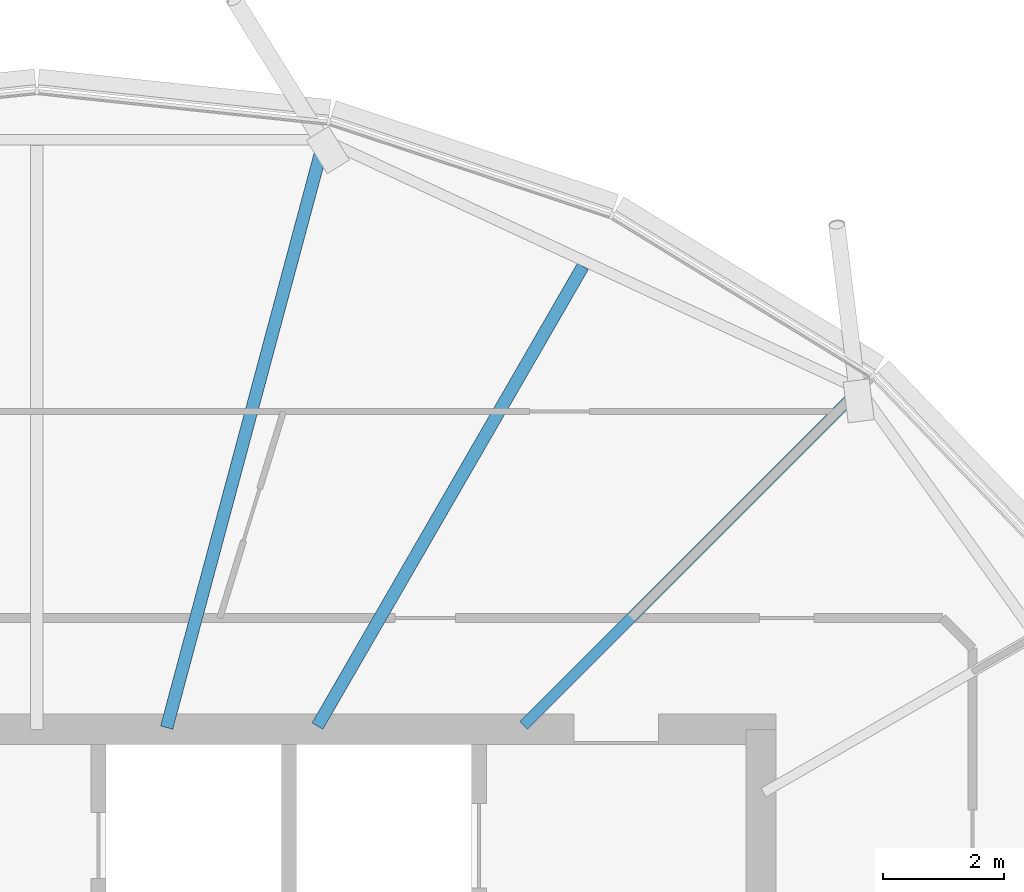
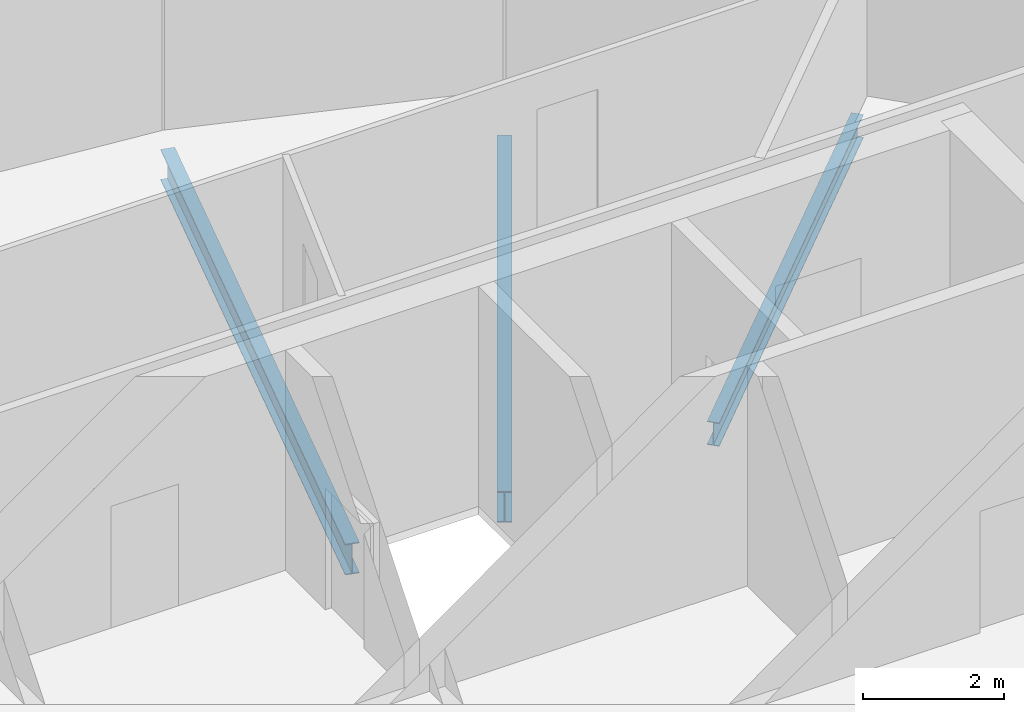
# One storey, part 6 of 35: 3 beams.
"""IFC4 building model written with IfcOpenShell, lengths in metres."""

from ifc_helpers import new_model, si_unit, direction, frame, origin, origin_2d, place, context, subcontext, project, spatial, i_section, extrude, material, material_profile, profile_set, type_object, element, save


model = new_model("IFC4")

# Units and contexts
model_context = context("Model", 3, precision=1e-05, world=origin(), true_north=direction((0.0, 1.0)))
body_context = subcontext(model_context, "Body", "Model", "MODEL_VIEW")
ifc_project = project(units=[si_unit("LENGTHUNIT", "METRE"), si_unit("AREAUNIT", "SQUARE_METRE"), si_unit("VOLUMEUNIT", "CUBIC_METRE"), si_unit("PLANEANGLEUNIT", "RADIAN"), si_unit("MASSUNIT", "GRAM", prefix="KILO")], contexts=[model_context])

# Site, building, storey
site_placement = place(None, origin())
site = spatial("IfcSite", under=ifc_project, at=site_placement, CompositionType="ELEMENT")
building_placement = place(site_placement, origin())
building = spatial("IfcBuilding", under=site, at=building_placement, Name="Rimbun Link Towers", CompositionType="ELEMENT")
storey_placement = place(building_placement, frame((0.0, 0.0, 229.5)))
storey = spatial("IfcBuildingStorey", under=building, at=storey_placement, Name="L56", CompositionType="ELEMENT", Elevation=229.5)

# Beams
ifc_material_1 = material(Name="Steel S355J2", Category="steel")
ifc_material_profile_1 = material_profile(ifc_material_1, i_section(OverallWidth=0.177978515625, OverallDepth=0.406494140625, WebThickness=0.0078125, FlangeThickness=0.0126953125, at=origin_2d()), Name="UB 406x178x60")
ifc_profile_set_1 = profile_set([ifc_material_profile_1], Name="Steel S355J2")
beam_type_1 = type_object("IfcBeamType", Name="UB 406x178x60", PredefinedType="BEAM", material=ifc_profile_set_1)
beam_1_placement = place(storey_placement, frame((-23.686279296875, 8.063720703125, -0.34326171875), z_axis=(0.707106781187, 0.707106781187, 0.0), x_axis=(-0.707106781187, 0.707106781187, 0.0)))
element("IfcBeam", 1, at=beam_1_placement, inside=storey, type_object=beam_type_1, Name="Radial beam T1 L56 03", PredefinedType="BEAM", context=body_context, shape_type="SweptSolid", body=[
    extrude(i_section(OverallWidth=0.177978515625, OverallDepth=0.406494140625, WebThickness=0.0078125, FlangeThickness=0.0126953125, at=origin_2d()), origin(), (0.0, 0.0, 1.0), 7.87646484375),
])
ifc_material_2 = material(Name="Steel S355J2", Category="steel")
ifc_material_profile_2 = material_profile(ifc_material_2, i_section(OverallWidth=0.209228515625, OverallDepth=0.533203125, WebThickness=0.010009765625, FlangeThickness=0.015625, at=origin_2d()), Name="UB 533x210x92")
ifc_profile_set_2 = profile_set([ifc_material_profile_2], Name="Steel S355J2")
beam_type_2 = type_object("IfcBeamType", Name="UB 533x210x92", PredefinedType="BEAM", material=ifc_profile_set_2)
beam_2_placement = place(storey_placement, frame((-27.1005859375, 8.05322265625, -0.406494140625), z_axis=(0.500010759992, 0.866019191411, 0.0), x_axis=(-0.866019191411, 0.500010759992, 0.0)))
element("IfcBeam", 2, at=beam_2_placement, inside=storey, type_object=beam_type_2, Name="Radial beam T1 L56 04", PredefinedType="BEAM", context=body_context, shape_type="SweptSolid", body=[
    extrude(i_section(OverallWidth=0.209228515625, OverallDepth=0.533203125, WebThickness=0.010009765625, FlangeThickness=0.015625, at=origin_2d()), origin(), (0.0, 0.0, 1.0), 8.796142578125),
])
beam_3_placement = place(storey_placement, frame((-29.598876953125, 8.028076171875, -0.406494140625), z_axis=(0.25881233255, 0.965927624887, 0.0), x_axis=(-0.965927624887, 0.25881233255, 0.0)))
element("IfcBeam", 3, at=beam_3_placement, inside=storey, type_object=beam_type_2, Name="Radial beam T1 L56 05", PredefinedType="BEAM", context=body_context, shape_type="SweptSolid", body=[
    extrude(i_section(OverallWidth=0.209228515625, OverallDepth=0.533203125, WebThickness=0.010009765625, FlangeThickness=0.015625, at=origin_2d()), origin(), (0.0, 0.0, 1.0), 10.0830078125),
])

save(model, "model.ifc")
